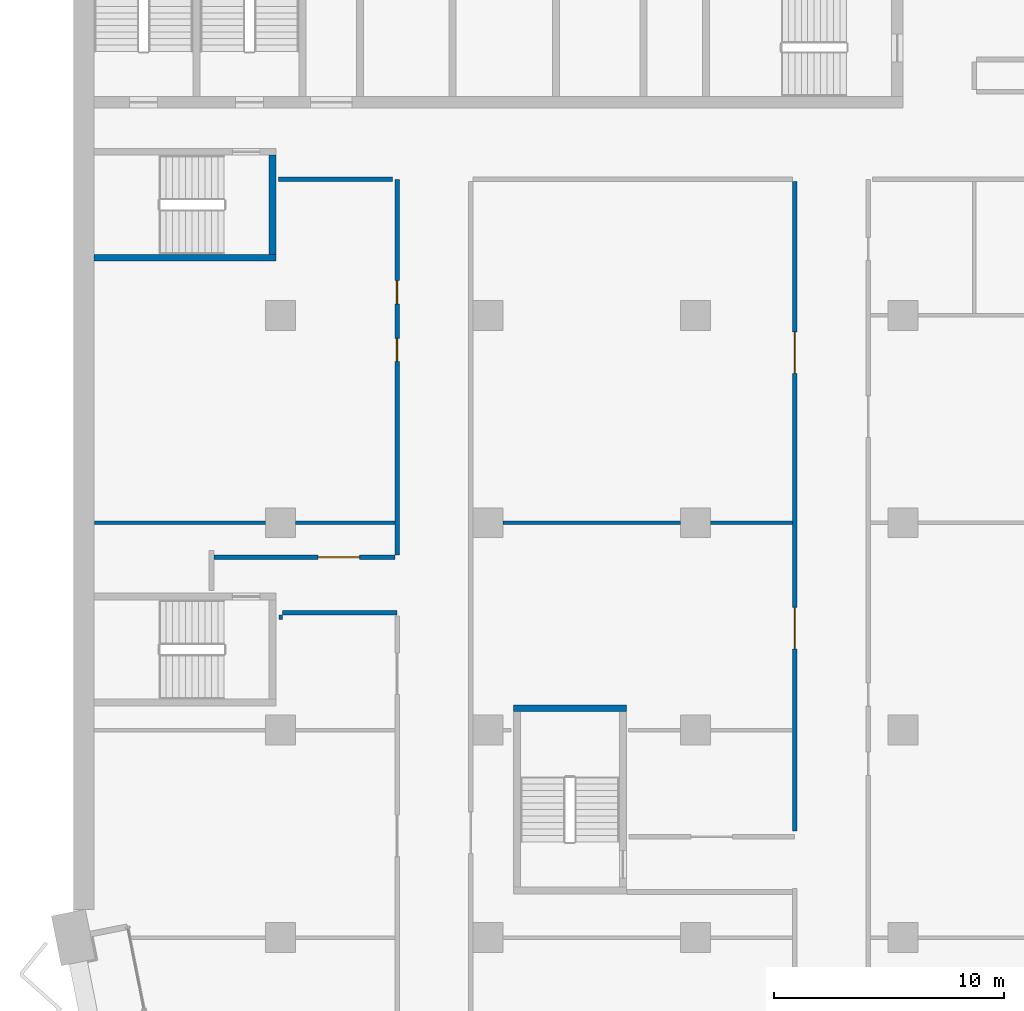
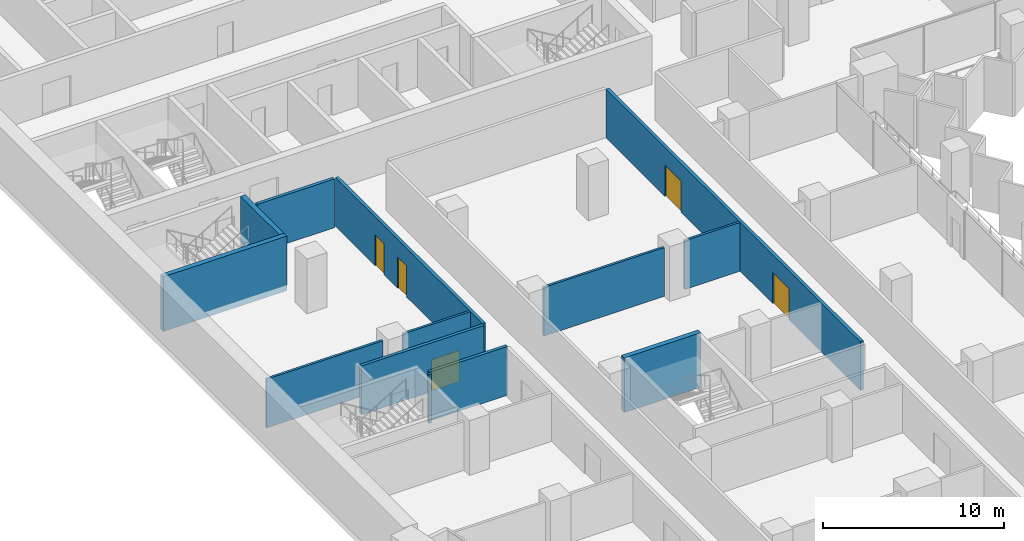
# One storey, part 10 of 23: 13 walls, 5 doors, 5 openings.
"""IFC4 building model written with IfcOpenShell, lengths in metres."""

from ifc_helpers import new_model, si_unit, direction, frame, frame_2d, origin, place, context, subcontext, project, spatial, rectangle, extrude, material, layer, layer_set, type_object, element, fill, save


model = new_model("IFC4")

# Units and contexts
model_context = context("Model", 3, precision=1e-05, world=origin(), true_north=direction((0.0, 1.0)))
body_context = subcontext(model_context, "Body", "Model", "MODEL_VIEW")
ifc_project = project(units=[si_unit("LENGTHUNIT", "METRE"), si_unit("AREAUNIT", "SQUARE_METRE"), si_unit("VOLUMEUNIT", "CUBIC_METRE"), si_unit("PLANEANGLEUNIT", "RADIAN"), si_unit("MASSUNIT", "GRAM", prefix="KILO")], contexts=[model_context])

# Site, building, storey
site_placement = place(None, origin())
site = spatial("IfcSite", under=ifc_project, at=site_placement, CompositionType="ELEMENT")
building_placement = place(site_placement, origin())
building = spatial("IfcBuilding", under=site, at=building_placement, Name="Hunhe Ridgeline Campus", CompositionType="ELEMENT")
storey_placement = place(building_placement, frame((0.0, 0.0, 107.0)))
storey = spatial("IfcBuildingStorey", under=building, at=storey_placement, Name="L26", CompositionType="ELEMENT", Elevation=107.0)

# Wall
ifc_material_1 = material(Name="Gypsum board partition")
ifc_layer_1 = layer(ifc_material_1, 0.199951171875)
ifc_layer_set_1 = layer_set([ifc_layer_1], Name="Corridor partition 200 gypsum board on steel studs")
wall_type_1 = type_object("IfcWallType", Name="Corridor partition 200 gypsum board on steel studs", PredefinedType="PARTITIONING", material=ifc_layer_set_1)
wall_1_placement = place(storey_placement, frame((14.050048828125, 41.10009765625, 0.0), z_axis=(0.0, 0.0, 1.0), x_axis=(-1.0, 0.0, 0.0)))
element("IfcWall", 1, at=wall_1_placement, inside=storey, type_object=wall_type_1, Name="F-L26-wall-018", PredefinedType="PARTITIONING", context=body_context, shape_type="SweptSolid", body=[
    extrude(rectangle(XDim=4.97509765625, YDim=0.199951171875, at=frame_2d((2.487548828125, 0.0))), origin(), (0.0, 0.0, 1.0), 3.300048828125),
])

# Wall, opening, door
wall_2_placement = place(storey_placement, frame((6.10009765625, 43.5, 0.0), z_axis=(0.0, 0.0, 1.0), x_axis=(1.0, 0.0, 0.0)))
wall_2 = element("IfcWall", 2, at=wall_2_placement, inside=storey, type_object=wall_type_1, Name="F-L26-wall-019", PredefinedType="PARTITIONING", context=body_context, shape_type="SweptSolid", body=[
    extrude(rectangle(XDim=7.849853515625, YDim=0.199951171875, at=frame_2d((3.9248046875, 0.0))), origin(), (0.0, 0.0, 1.0), 3.300048828125),
])
opening_1_placement = place(wall_2_placement, frame((4.52490234375, 0.0, 0.0)))
opening_1 = element("IfcOpeningElement", 3, at=opening_1_placement, cuts=wall_2, Name="Opening RD2-013", PredefinedType="OPENING", context=body_context, shape_type="SweptSolid", body=[
    extrude(rectangle(XDim=1.800048828125, YDim=2.10009765625, at=frame_2d((0.89990234375, 1.050048828125))), frame((0.0, 0.10009765625, 0.0), z_axis=(0.0, -1.0, 0.0), x_axis=(1.0, 0.0, 0.0)), (0.0, 0.0, 1.0), 0.199951171875),
])
ifc_material_2 = material(Name="Timber door leaf", Category="wood")
door_type_1 = type_object("IfcDoorType", Name="Double fire door 1800x2100 timber FD60", OperationType="DOUBLE_DOOR_SINGLE_SWING", PredefinedType="DOOR", material=ifc_material_2)
door_1_placement = place(opening_1_placement, origin())
door_1 = element("IfcDoor", 4, at=door_1_placement, inside=storey, type_object=door_type_1, Name="F-L26-door-013", OperationType="DOUBLE_DOOR_SINGLE_SWING", OverallHeight=2.10009765625, OverallWidth=1.800048828125, PredefinedType="DOOR", context=body_context, shape_type="SweptSolid", body=[
    extrude(rectangle(XDim=1.800048828125, YDim=2.10009765625, at=frame_2d((0.89990234375, 1.050048828125))), frame((0.0, 0.02490234375, 0.0), z_axis=(0.0, -1.0, 0.0), x_axis=(1.0, 0.0, 0.0)), (0.0, 0.0, 1.0), 0.050048828125),
])
fill(opening_1, door_1)

# Wall
wall_3_placement = place(storey_placement, frame((13.859375, 59.89990234375, 0.0), z_axis=(0.0, 0.0, 1.0), x_axis=(-1.0, 0.0, 0.0)))
element("IfcWall", 5, at=wall_3_placement, inside=storey, type_object=wall_type_1, Name="F-L26-wall-028", PredefinedType="PARTITIONING", context=body_context, shape_type="SweptSolid", body=[
    extrude(rectangle(XDim=4.955322265625, YDim=0.199951171875, at=frame_2d((2.4775390625, 0.0))), origin(), (0.0, 0.0, 1.0), 3.300048828125),
])

# Wall, openings, doors
wall_4_placement = place(storey_placement, frame((14.050048828125, 43.60009765625, 0.0), z_axis=(0.0, 0.0, 1.0), x_axis=(0.0, 1.0, 0.0)))
wall_4 = element("IfcWall", 6, at=wall_4_placement, inside=storey, type_object=wall_type_1, Name="F-L26-wall-042", PredefinedType="PARTITIONING", context=body_context, shape_type="SweptSolid", body=[
    extrude(rectangle(XDim=16.2998046875, YDim=0.199951171875, at=frame_2d((8.14990234375, 0.0))), origin(), (0.0, 0.0, 1.0), 3.300048828125),
])
opening_2_placement = place(wall_4_placement, frame((8.40234375, 0.0, 0.0)))
opening_2 = element("IfcOpeningElement", 7, at=opening_2_placement, cuts=wall_4, Name="Opening RD1-016", PredefinedType="OPENING", context=body_context, shape_type="SweptSolid", body=[
    extrude(rectangle(XDim=1.0, YDim=2.10009765625, at=frame_2d((0.5, 1.050048828125))), frame((0.0, 0.10009765625, 0.0), z_axis=(0.0, -1.0, 0.0), x_axis=(1.0, 0.0, 0.0)), (0.0, 0.0, 1.0), 0.199951171875),
])
opening_3_placement = place(wall_4_placement, frame((10.90234375, 0.0, 0.0)))
opening_3 = element("IfcOpeningElement", 8, at=opening_3_placement, cuts=wall_4, Name="Opening RD1-017", PredefinedType="OPENING", context=body_context, shape_type="SweptSolid", body=[
    extrude(rectangle(XDim=1.0, YDim=2.10009765625, at=frame_2d((0.5, 1.050048828125))), frame((0.0, 0.10009765625, 0.0), z_axis=(0.0, -1.0, 0.0), x_axis=(1.0, 0.0, 0.0)), (0.0, 0.0, 1.0), 0.199951171875),
])
door_type_2 = type_object("IfcDoorType", Name="Single fire door 1000x2100 timber FD60", OperationType="NOTDEFINED", PredefinedType="DOOR", material=ifc_material_2)
door_2_placement = place(opening_2_placement, frame((1.0, 0.0, 0.0), z_axis=(0.0, 0.0, 1.0), x_axis=(-1.0, 0.0, 0.0)))
door_2 = element("IfcDoor", 9, at=door_2_placement, inside=storey, type_object=door_type_2, Name="F-L26-door-016", OperationType="SINGLE_SWING_LEFT", OverallHeight=2.10009765625, OverallWidth=1.0, PredefinedType="DOOR", context=body_context, shape_type="SweptSolid", body=[
    extrude(rectangle(XDim=1.0, YDim=2.10009765625, at=frame_2d((0.5, 1.050048828125))), frame((0.0, 0.02490234375, 0.0), z_axis=(0.0, -1.0, 0.0), x_axis=(1.0, 0.0, 0.0)), (0.0, 0.0, 1.0), 0.050048828125),
])
fill(opening_2, door_2)
door_3_placement = place(opening_3_placement, frame((1.0, 0.0, 0.0), z_axis=(0.0, 0.0, 1.0), x_axis=(-1.0, 0.0, 0.0)))
door_3 = element("IfcDoor", 10, at=door_3_placement, inside=storey, type_object=door_type_2, Name="F-L26-door-017", OperationType="SINGLE_SWING_LEFT", OverallHeight=2.10009765625, OverallWidth=1.0, PredefinedType="DOOR", context=body_context, shape_type="SweptSolid", body=[
    extrude(rectangle(XDim=1.0, YDim=2.10009765625, at=frame_2d((0.5, 1.050048828125))), frame((0.0, 0.02490234375, 0.0), z_axis=(0.0, -1.0, 0.0), x_axis=(1.0, 0.0, 0.0)), (0.0, 0.0, 1.0), 0.050048828125),
])
fill(opening_3, door_3)

wall_5_placement = place(storey_placement, frame((31.300048828125, 31.619140625, 0.0), z_axis=(0.0, 0.0, 1.0), x_axis=(0.0, 1.0, 0.0)))
wall_5 = element("IfcWall", 11, at=wall_5_placement, inside=storey, type_object=wall_type_1, Name="F-L26-wall-045", PredefinedType="PARTITIONING", context=body_context, shape_type="SweptSolid", body=[
    extrude(rectangle(XDim=28.180908203125, YDim=0.199951171875, at=frame_2d((14.09033203125, 0.0))), origin(), (0.0, 0.0, 1.0), 3.300048828125),
])
opening_4_placement = place(wall_5_placement, frame((7.906494140625, 0.0, 0.0)))
opening_4 = element("IfcOpeningElement", 12, at=opening_4_placement, cuts=wall_5, Name="Opening RD2-012", PredefinedType="OPENING", context=body_context, shape_type="SweptSolid", body=[
    extrude(rectangle(XDim=1.800048828125, YDim=2.10009765625, at=frame_2d((0.89990234375, 1.050048828125))), frame((0.0, 0.10009765625, 0.0), z_axis=(0.0, -1.0, 0.0), x_axis=(1.0, 0.0, 0.0)), (0.0, 0.0, 1.0), 0.199951171875),
])
opening_5_placement = place(wall_5_placement, frame((19.8583984375, 0.0, 0.0)))
opening_5 = element("IfcOpeningElement", 13, at=opening_5_placement, cuts=wall_5, Name="Opening RD2-015", PredefinedType="OPENING", context=body_context, shape_type="SweptSolid", body=[
    extrude(rectangle(XDim=1.800048828125, YDim=2.10009765625, at=frame_2d((0.89990234375, 1.050048828125))), frame((0.0, 0.10009765625, 0.0), z_axis=(0.0, -1.0, 0.0), x_axis=(1.0, 0.0, 0.0)), (0.0, 0.0, 1.0), 0.199951171875),
])
door_4_placement = place(opening_4_placement, origin())
door_4 = element("IfcDoor", 14, at=door_4_placement, inside=storey, type_object=door_type_1, Name="F-L26-door-012", OperationType="DOUBLE_DOOR_SINGLE_SWING", OverallHeight=2.10009765625, OverallWidth=1.800048828125, PredefinedType="DOOR", context=body_context, shape_type="SweptSolid", body=[
    extrude(rectangle(XDim=1.800048828125, YDim=2.10009765625, at=frame_2d((0.89990234375, 1.050048828125))), frame((0.0, 0.02490234375, 0.0), z_axis=(0.0, -1.0, 0.0), x_axis=(1.0, 0.0, 0.0)), (0.0, 0.0, 1.0), 0.050048828125),
])
fill(opening_4, door_4)
door_5_placement = place(opening_5_placement, origin())
door_5 = element("IfcDoor", 15, at=door_5_placement, inside=storey, type_object=door_type_1, Name="F-L26-door-015", OperationType="DOUBLE_DOOR_SINGLE_SWING", OverallHeight=2.10009765625, OverallWidth=1.800048828125, PredefinedType="DOOR", context=body_context, shape_type="SweptSolid", body=[
    extrude(rectangle(XDim=1.800048828125, YDim=2.10009765625, at=frame_2d((0.89990234375, 1.050048828125))), frame((0.0, 0.02490234375, 0.0), z_axis=(0.0, -1.0, 0.0), x_axis=(1.0, 0.0, 0.0)), (0.0, 0.0, 1.0), 0.050048828125),
])
fill(opening_5, door_5)

# Walls
ifc_layer_2 = layer(ifc_material_1, 0.14990234375)
ifc_layer_set_2 = layer_set([ifc_layer_2], Name="Room partition 150 gypsum board on steel studs")
wall_type_2 = type_object("IfcWallType", Name="Room partition 150 gypsum board on steel studs", PredefinedType="PARTITIONING", material=ifc_layer_set_2)
wall_6_placement = place(storey_placement, frame((0.919921875, 45.0, 0.0), z_axis=(0.0, 0.0, 1.0), x_axis=(1.0, 0.0, 0.0)))
element("IfcWall", 16, at=wall_6_placement, inside=storey, type_object=wall_type_2, Name="F-L26-wall-020", PredefinedType="PARTITIONING", context=body_context, shape_type="SweptSolid", body=[
    extrude(rectangle(XDim=7.43017578125, YDim=0.14990234375, at=frame_2d((3.715087890625, 0.0))), origin(), (0.0, 0.0, 1.0), 3.300048828125),
])
wall_7_placement = place(storey_placement, frame((9.64990234375, 45.0, 0.0), z_axis=(0.0, 0.0, 1.0), x_axis=(1.0, 0.0, 0.0)))
element("IfcWall", 17, at=wall_7_placement, inside=storey, type_object=wall_type_2, Name="F-L26-wall-021", PredefinedType="PARTITIONING", context=body_context, shape_type="SweptSolid", body=[
    extrude(rectangle(XDim=4.300048828125, YDim=0.14990234375, at=frame_2d((2.14990234375, 0.0))), origin(), (0.0, 0.0, 1.0), 3.300048828125),
])
wall_8_placement = place(storey_placement, frame((18.64990234375, 45.0, 0.0), z_axis=(0.0, 0.0, 1.0), x_axis=(1.0, 0.0, 0.0)))
element("IfcWall", 18, at=wall_8_placement, inside=storey, type_object=wall_type_2, Name="F-L26-wall-022", PredefinedType="PARTITIONING", context=body_context, shape_type="SweptSolid", body=[
    extrude(rectangle(XDim=7.7001953125, YDim=0.14990234375, at=frame_2d((3.85009765625, 0.0))), origin(), (0.0, 0.0, 1.0), 3.300048828125),
])
wall_9_placement = place(storey_placement, frame((27.64990234375, 45.0, 0.0), z_axis=(0.0, 0.0, 1.0), x_axis=(1.0, 0.0, 0.0)))
element("IfcWall", 19, at=wall_9_placement, inside=storey, type_object=wall_type_2, Name="F-L26-wall-023", PredefinedType="PARTITIONING", context=body_context, shape_type="SweptSolid", body=[
    extrude(rectangle(XDim=3.550048828125, YDim=0.14990234375, at=frame_2d((1.77490234375, 0.0))), origin(), (0.0, 0.0, 1.0), 3.300048828125),
])
wall_10_placement = place(storey_placement, frame((9.0, 41.0, 0.0), z_axis=(0.0, 0.0, 1.0), x_axis=(0.0, -1.0, 0.0)))
element("IfcWall", 20, at=wall_10_placement, inside=storey, type_object=wall_type_2, Name="F-L26-wall-040", PredefinedType="PARTITIONING", context=body_context, shape_type="SweptSolid", body=[
    extrude(rectangle(XDim=0.199951171875, YDim=0.14990234375, at=frame_2d((0.10009765625, 0.0))), origin(), (0.0, 0.0, 1.0), 3.300048828125),
])
ifc_material_3 = material(Name="Concrete C80", Category="concrete")
ifc_layer_3 = layer(ifc_material_3, 0.300048828125)
ifc_layer_set_3 = layer_set([ifc_layer_3], Name="Stair wall 300 reinforced concrete C80")
wall_type_3 = type_object("IfcWallType", Name="Stair wall 300 reinforced concrete C80", PredefinedType="SOLIDWALL", material=ifc_layer_set_3)
wall_11_placement = place(storey_placement, frame((19.10009765625, 36.949951171875, -0.39990234375), z_axis=(0.0, 0.0, 1.0), x_axis=(1.0, 0.0, 0.0)))
element("IfcWall", 21, at=wall_11_placement, inside=storey, type_object=wall_type_3, Name="L26 core wall 2", PredefinedType="SOLIDWALL", context=body_context, shape_type="SweptSolid", body=[
    extrude(rectangle(XDim=4.89990234375, YDim=0.300048828125, at=frame_2d((2.449951171875, 0.0))), origin(), (0.0, 0.0, 1.0), 3.699951171875),
])
wall_12_placement = place(storey_placement, frame((0.89990234375, 56.5, -0.39990234375), z_axis=(0.0, 0.0, 1.0), x_axis=(1.0, 0.0, 0.0)))
element("IfcWall", 22, at=wall_12_placement, inside=storey, type_object=wall_type_3, Name="L26 core wall 5", PredefinedType="SOLIDWALL", context=body_context, shape_type="SweptSolid", body=[
    extrude(rectangle(XDim=7.900146484375, YDim=0.300048828125, at=frame_2d((3.9501953125, 0.0))), origin(), (0.0, 0.0, 1.0), 3.699951171875),
])
wall_13_placement = place(storey_placement, frame((8.64990234375, 56.64990234375, -0.39990234375), z_axis=(0.0, 0.0, 1.0), x_axis=(0.0, 1.0, 0.0)))
element("IfcWall", 23, at=wall_13_placement, inside=storey, type_object=wall_type_3, Name="L26 core wall 38", PredefinedType="SOLIDWALL", context=body_context, shape_type="SweptSolid", body=[
    extrude(rectangle(XDim=4.300048828125, YDim=0.300048828125, at=frame_2d((2.14990234375, 0.0))), origin(), (0.0, 0.0, 1.0), 3.699951171875),
])

save(model, "model.ifc")
